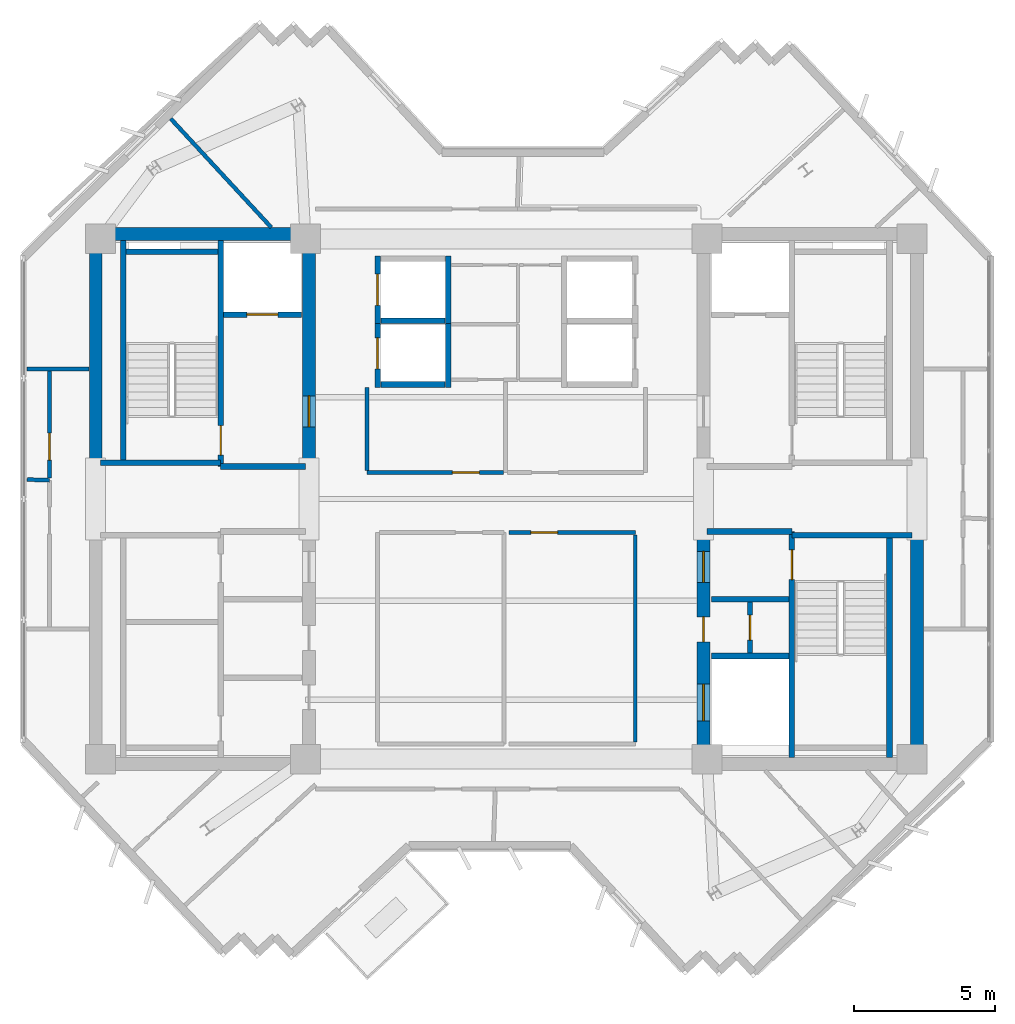
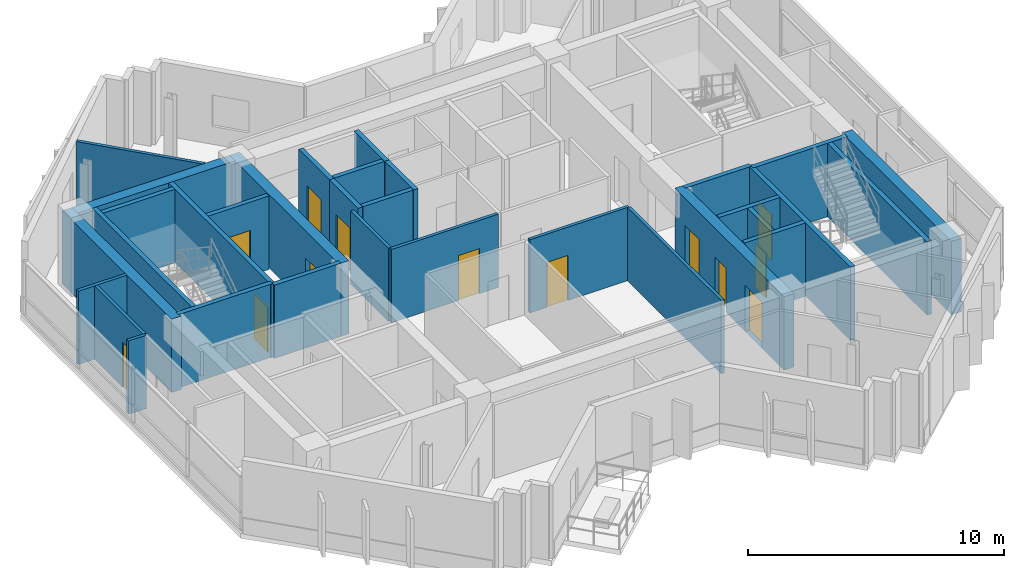
# One storey, part 5 of 9: 32 walls, 13 doors, 13 openings.
"""IFC4 building model written with IfcOpenShell, lengths in metres."""

from ifc_helpers import new_model, si_unit, direction, frame, frame_2d, origin, place, context, subcontext, project, spatial, rectangle, extrude, source, transform, mapped, material, layer, layer_set, type_object, element, fill, save


model = new_model("IFC4")

# Units and contexts
model_context = context("Model", 3, precision=1e-05, world=origin(), true_north=direction((0.0, 1.0)))
body_context = subcontext(model_context, "Body", "Model", "MODEL_VIEW")
ifc_project = project(units=[si_unit("LENGTHUNIT", "METRE"), si_unit("AREAUNIT", "SQUARE_METRE"), si_unit("VOLUMEUNIT", "CUBIC_METRE"), si_unit("PLANEANGLEUNIT", "RADIAN"), si_unit("MASSUNIT", "GRAM", prefix="KILO")], contexts=[model_context])

# Site, building, storey
site_placement = place(None, origin())
site = spatial("IfcSite", under=ifc_project, at=site_placement, CompositionType="ELEMENT")
building_placement = place(site_placement, origin())
building = spatial("IfcBuilding", under=site, at=building_placement, Name="Zahravan Cultural Tower", CompositionType="ELEMENT")
storey_placement = place(building_placement, frame((0.0, 0.0, 299.10009765625)))
storey = spatial("IfcBuildingStorey", under=building, at=storey_placement, Name="L72", CompositionType="ELEMENT", Elevation=299.10009765625)

# Wall, opening, door
ifc_material_1 = material(Name="Concrete C50/60", Category="concrete")
ifc_layer_1 = layer(ifc_material_1, 0.449951171875)
ifc_layer_set_1 = layer_set([ifc_layer_1], Name="Concrete C50/60")
wall_type_1 = type_object("IfcWallType", Name="CW-SHEAR-450-C50", PredefinedType="SHEAR", material=ifc_layer_set_1)
wall_1_placement = place(storey_placement, frame((29.02490234375, 28.050048828125, 0.0), z_axis=(0.0, 0.0, 1.0), x_axis=(0.0, 1.0, 0.0)))
wall_1 = element("IfcWall", 1, at=wall_1_placement, inside=storey, type_object=wall_type_1, Name="L72 Core Shear Wall CW-W-EN-L72", PredefinedType="SHEAR", context=body_context, shape_type="SweptSolid", body=[
    extrude(rectangle(XDim=8.550048828125, YDim=0.449951171875, at=frame_2d((4.27490234375, 0.0))), origin(), (0.0, 0.0, 1.0), 3.5),
])
opening_1_placement = place(wall_1_placement, frame((1.5, 0.0, 0.0)))
opening_1 = element("IfcOpeningElement", 2, at=opening_1_placement, cuts=wall_1, Name="Opening D-L72-06", PredefinedType="OPENING", context=body_context, shape_type="SweptSolid", body=[
    extrude(rectangle(XDim=1.10009765625, YDim=2.199951171875, at=frame_2d((0.550048828125, 1.10009765625))), frame((0.0, 0.23486328125, 0.0), z_axis=(0.0, -1.0, 0.0), x_axis=(1.0, 0.0, 0.0)), (0.0, 0.0, 1.0), 0.469970703125),
])
ifc_material_2 = material(Name="Steel ASTM A572 Grade 50", Category="steel")
door_type_1 = type_object("IfcDoorType", Name="DR-LOBBY-1100", OperationType="NOTDEFINED", PredefinedType="DOOR", material=ifc_material_2)
shared_shape_1 = source(origin(), body_context, "Body", "SweptSolid", [
    extrude(rectangle(XDim=1.10009765625, YDim=2.199951171875, at=frame_2d((0.550048828125, 1.10009765625))), frame((0.0, 0.02490234375, 0.0), z_axis=(0.0, -1.0, 0.0), x_axis=(1.0, 0.0, 0.0)), (0.0, 0.0, 1.0), 0.050048828125),
])
door_1_placement = place(opening_1_placement, origin())
door_1 = element("IfcDoor", 3, at=door_1_placement, inside=storey, type_object=door_type_1, Name="L72 Door D-L72-06", OperationType="SINGLE_SWING_LEFT", OverallHeight=2.199951171875, OverallWidth=1.10009765625, PredefinedType="DOOR", context=body_context, shape_type="MappedRepresentation", body=[
    mapped(shared_shape_1, transform((0.0, 0.0, 0.0), x_axis=(1.0, 0.0, 0.0), y_axis=(0.0, 1.0, 0.0), z_axis=(0.0, 0.0, 1.0), scale=1.0)),
])
fill(opening_1, door_1)

# Wall, openings, doors
wall_2_placement = place(storey_placement, frame((42.97509765625, 17.39990234375, 0.0), z_axis=(0.0, 0.0, 1.0), x_axis=(0.0, 1.0, 0.0)))
wall_2 = element("IfcWall", 4, at=wall_2_placement, inside=storey, type_object=wall_type_1, Name="L72 Core Shear Wall CW-E-WS-L72", PredefinedType="SHEAR", context=body_context, shape_type="SweptSolid", body=[
    extrude(rectangle(XDim=8.550048828125, YDim=0.449951171875, at=frame_2d((4.27490234375, 0.0))), origin(), (0.0, 0.0, 1.0), 3.5),
])
opening_2_placement = place(wall_2_placement, frame((6.64990234375, 0.0, 0.0)))
opening_2 = element("IfcOpeningElement", 5, at=opening_2_placement, cuts=wall_2, Name="Opening D-L72-09", PredefinedType="OPENING", context=body_context, shape_type="SweptSolid", body=[
    extrude(rectangle(XDim=1.10009765625, YDim=2.199951171875, at=frame_2d((0.550048828125, 1.10009765625))), frame((0.0, 0.23486328125, 0.0), z_axis=(0.0, -1.0, 0.0), x_axis=(1.0, 0.0, 0.0)), (0.0, 0.0, 1.0), 0.469970703125),
])
opening_3_placement = place(wall_2_placement, frame((1.75, 0.0, 0.0)))
opening_3 = element("IfcOpeningElement", 6, at=opening_3_placement, cuts=wall_2, Name="Opening LD-L72-03", PredefinedType="OPENING", context=body_context, shape_type="SweptSolid", body=[
    extrude(rectangle(XDim=1.300048828125, YDim=2.199951171875, at=frame_2d((0.64990234375, 1.10009765625))), frame((0.0, 0.23486328125, 0.0), z_axis=(0.0, -1.0, 0.0), x_axis=(1.0, 0.0, 0.0)), (0.0, 0.0, 1.0), 0.469970703125),
])
opening_4_placement = place(wall_2_placement, frame((4.550048828125, 0.0, 0.0)))
opening_4 = element("IfcOpeningElement", 7, at=opening_4_placement, cuts=wall_2, Name="Opening D-L72-12", PredefinedType="OPENING", context=body_context, shape_type="SweptSolid", body=[
    extrude(rectangle(XDim=0.8798828125, YDim=2.10009765625, at=frame_2d((0.43994140625, 1.050048828125))), frame((0.0, 0.23486328125, 0.0), z_axis=(0.0, -1.0, 0.0), x_axis=(1.0, 0.0, 0.0)), (0.0, 0.0, 1.0), 0.469970703125),
])
door_2_placement = place(opening_2_placement, origin())
door_2 = element("IfcDoor", 8, at=door_2_placement, inside=storey, type_object=door_type_1, Name="L72 Door D-L72-09", OperationType="SINGLE_SWING_RIGHT", OverallHeight=2.199951171875, OverallWidth=1.10009765625, PredefinedType="DOOR", context=body_context, shape_type="MappedRepresentation", body=[
    mapped(shared_shape_1, transform((0.0, 0.0, 0.0), x_axis=(1.0, 0.0, 0.0), y_axis=(0.0, 1.0, 0.0), z_axis=(0.0, 0.0, 1.0), scale=1.0)),
])
fill(opening_2, door_2)
door_type_2 = type_object("IfcDoorType", Name="DR-LIFT-1300", OperationType="DOUBLE_DOOR_SLIDING", PredefinedType="DOOR", material=ifc_material_2)
shared_shape_2 = source(origin(), body_context, "Body", "SweptSolid", [
    extrude(rectangle(XDim=1.300048828125, YDim=2.199951171875, at=frame_2d((0.64990234375, 1.10009765625))), frame((0.0, 0.02490234375, 0.0), z_axis=(0.0, -1.0, 0.0), x_axis=(1.0, 0.0, 0.0)), (0.0, 0.0, 1.0), 0.050048828125),
])
door_3_placement = place(opening_3_placement, origin())
door_3 = element("IfcDoor", 9, at=door_3_placement, inside=storey, type_object=door_type_2, Name="L72 Door LD-L72-03", OperationType="DOUBLE_DOOR_SLIDING", OverallHeight=2.199951171875, OverallWidth=1.300048828125, PredefinedType="DOOR", context=body_context, shape_type="MappedRepresentation", body=[
    mapped(shared_shape_2, transform((0.0, 0.0, 0.0), x_axis=(1.0, 0.0, 0.0), y_axis=(0.0, 1.0, 0.0), z_axis=(0.0, 0.0, 1.0), scale=1.0)),
])
fill(opening_3, door_3)
door_type_3 = type_object("IfcDoorType", Name="DR-SVC-880", OperationType="NOTDEFINED", PredefinedType="DOOR", material=ifc_material_2)
shared_shape_3 = source(origin(), body_context, "Body", "SweptSolid", [
    extrude(rectangle(XDim=0.8798828125, YDim=2.10009765625, at=frame_2d((0.43994140625, 1.050048828125))), frame((0.0, 0.02490234375, 0.0), z_axis=(0.0, -1.0, 0.0), x_axis=(1.0, 0.0, 0.0)), (0.0, 0.0, 1.0), 0.050048828125),
])
door_4_placement = place(opening_4_placement, origin())
door_4 = element("IfcDoor", 10, at=door_4_placement, inside=storey, type_object=door_type_3, Name="L72 Door D-L72-12", OperationType="SINGLE_SWING_LEFT", OverallHeight=2.10009765625, OverallWidth=0.8798828125, PredefinedType="DOOR", context=body_context, shape_type="MappedRepresentation", body=[
    mapped(shared_shape_3, transform((0.0, 0.0, 0.0), x_axis=(1.0, 0.0, 0.0), y_axis=(0.0, 1.0, 0.0), z_axis=(0.0, 0.0, 1.0), scale=1.0)),
])
fill(opening_4, door_4)

# Wall, opening, door
ifc_material_3 = material(Name="Gypsum plasterboard partition")
ifc_layer_2 = layer(ifc_material_3, 0.179931640625)
ifc_layer_set_2 = layer_set([ifc_layer_2], Name="Gypsum plasterboard partition")
wall_type_2 = type_object("IfcWallType", Name="W-COMP-180", PredefinedType="PARTITIONING", material=ifc_layer_set_2)
wall_3_placement = place(storey_placement, frame((44.6201171875, 21.550048828125, 0.0), z_axis=(0.0, 0.0, 1.0), x_axis=(0.0, 1.0, 0.0)))
wall_3 = element("IfcWall", 11, at=wall_3_placement, inside=storey, type_object=wall_type_2, Name="L72 Interior Wall 028", PredefinedType="PARTITIONING", context=body_context, shape_type="SweptSolid", body=[
    extrude(rectangle(XDim=1.800048828125, YDim=0.179931640625, at=frame_2d((0.89990234375, 0.0))), origin(), (0.0, 0.0, 1.0), 3.5),
])
opening_5_placement = place(wall_3_placement, frame((0.4599609375, 0.0, 0.0)))
opening_5 = element("IfcOpeningElement", 12, at=opening_5_placement, cuts=wall_3, Name="Opening D-L72-13", PredefinedType="OPENING", context=body_context, shape_type="SweptSolid", body=[
    extrude(rectangle(XDim=0.8798828125, YDim=2.10009765625, at=frame_2d((0.43994140625, 1.050048828125))), frame((0.0, 0.099853515625, 0.0), z_axis=(0.0, -1.0, 0.0), x_axis=(1.0, 0.0, 0.0)), (0.0, 0.0, 1.0), 0.199951171875),
])
door_5_placement = place(opening_5_placement, origin())
door_5 = element("IfcDoor", 13, at=door_5_placement, inside=storey, type_object=door_type_3, Name="L72 Door D-L72-13", OperationType="SINGLE_SWING_RIGHT", OverallHeight=2.10009765625, OverallWidth=0.8798828125, PredefinedType="DOOR", context=body_context, shape_type="MappedRepresentation", body=[
    mapped(shared_shape_3, transform((0.0, 0.0, 0.0), x_axis=(1.0, 0.0, 0.0), y_axis=(0.0, 1.0, 0.0), z_axis=(0.0, 0.0, 1.0), scale=1.0)),
])
fill(opening_5, door_5)

ifc_layer_3 = layer(ifc_material_3, 0.139892578125)
ifc_layer_set_3 = layer_set([ifc_layer_3], Name="Gypsum plasterboard partition")
wall_type_3 = type_object("IfcWallType", Name="W-PART-140", PredefinedType="PARTITIONING", material=ifc_layer_set_3)
wall_4_placement = place(storey_placement, frame((35.89501953125, 27.93994140625, 0.0), z_axis=(0.0, 0.0, 1.0), x_axis=(-1.0, 0.0, 0.0)))
wall_4 = element("IfcWall", 14, at=wall_4_placement, inside=storey, type_object=wall_type_3, Name="L72 Interior Wall 057", PredefinedType="PARTITIONING", context=body_context, shape_type="SweptSolid", body=[
    extrude(rectangle(XDim=4.81494140625, YDim=0.139892578125, at=frame_2d((2.407470703125, 0.0))), origin(), (0.0, 0.0, 1.0), 3.5),
])
opening_6_placement = place(wall_4_placement, frame((0.850341796875, 0.0, 0.0)))
opening_6 = element("IfcOpeningElement", 15, at=opening_6_placement, cuts=wall_4, Name="Opening D-L72-18", PredefinedType="OPENING", context=body_context, shape_type="SweptSolid", body=[
    extrude(rectangle(XDim=0.949951171875, YDim=2.14990234375, at=frame_2d((0.47509765625, 1.074951171875))), frame((0.0, 0.079833984375, 0.0), z_axis=(0.0, -1.0, 0.0), x_axis=(1.0, 0.0, 0.0)), (0.0, 0.0, 1.0), 0.159912109375),
])
ifc_material_4 = material(Name="Anodised bronze-aluminium mullion", Category="aluminium")
door_type_4 = type_object("IfcDoorType", Name="DR-ROOM-950", OperationType="NOTDEFINED", PredefinedType="DOOR", material=ifc_material_4)
shared_shape_4 = source(origin(), body_context, "Body", "SweptSolid", [
    extrude(rectangle(XDim=0.949951171875, YDim=2.14990234375, at=frame_2d((0.47509765625, 1.074951171875))), frame((0.0, 0.02490234375, 0.0), z_axis=(0.0, -1.0, 0.0), x_axis=(1.0, 0.0, 0.0)), (0.0, 0.0, 1.0), 0.050048828125),
])
door_6_placement = place(opening_6_placement, origin())
door_6 = element("IfcDoor", 16, at=door_6_placement, inside=storey, type_object=door_type_4, Name="L72 Door D-L72-18", OperationType="SINGLE_SWING_LEFT", OverallHeight=2.14990234375, OverallWidth=0.949951171875, PredefinedType="DOOR", context=body_context, shape_type="MappedRepresentation", body=[
    mapped(shared_shape_4, transform((0.0, 0.0, 0.0), x_axis=(1.0, 0.0, 0.0), y_axis=(0.0, 1.0, 0.0), z_axis=(0.0, 0.0, 1.0), scale=1.0)),
])
fill(opening_6, door_6)

wall_5_placement = place(storey_placement, frame((19.851318359375, 31.59765625, 0.0), z_axis=(0.0, 0.0, 1.0), x_axis=(-0.000316215517, -0.999999950004, 0.0)))
wall_5 = element("IfcWall", 17, at=wall_5_placement, inside=storey, type_object=wall_type_3, Name="L72 Interior Wall 077", PredefinedType="PARTITIONING", context=body_context, shape_type="SweptSolid", body=[
    extrude(rectangle(XDim=3.8603515625, YDim=0.139892578125, at=frame_2d((1.93017578125, 0.0))), origin(), (0.0, 0.0, 1.0), 3.5),
])
opening_7_placement = place(wall_5_placement, frame((2.27001953125, 0.0, 0.0)))
opening_7 = element("IfcOpeningElement", 18, at=opening_7_placement, cuts=wall_5, Name="Opening D-L72-23", PredefinedType="OPENING", context=body_context, shape_type="SweptSolid", body=[
    extrude(rectangle(XDim=0.949951171875, YDim=2.14990234375, at=frame_2d((0.47509765625, 1.074951171875))), frame((0.0, 0.079833984375, 0.0), z_axis=(0.0, -1.0, 0.0), x_axis=(1.0, 0.0, 0.0)), (0.0, 0.0, 1.0), 0.159912109375),
])
door_7_placement = place(opening_7_placement, origin())
door_7 = element("IfcDoor", 19, at=door_7_placement, inside=storey, type_object=door_type_4, Name="L72 Door D-L72-23", OperationType="SINGLE_SWING_RIGHT", OverallHeight=2.14990234375, OverallWidth=0.949951171875, PredefinedType="DOOR", context=body_context, shape_type="MappedRepresentation", body=[
    mapped(shared_shape_4, transform((0.0, 0.0, 0.0), x_axis=(1.0, 0.0, 0.0), y_axis=(0.0, 1.0, 0.0), z_axis=(0.0, 0.0, 1.0), scale=1.0)),
])
fill(opening_7, door_7)

wall_6_placement = place(storey_placement, frame((36.090087890625, 25.81005859375, 0.0), z_axis=(0.0, 0.0, 1.0), x_axis=(1.0, 0.0, 0.0)))
wall_6 = element("IfcWall", 20, at=wall_6_placement, inside=storey, type_object=wall_type_3, Name="L72 Interior Wall 086", PredefinedType="PARTITIONING", context=body_context, shape_type="SweptSolid", body=[
    extrude(rectangle(XDim=4.469970703125, YDim=0.139892578125, at=frame_2d((2.23486328125, 0.0))), origin(), (0.0, 0.0, 1.0), 3.5),
])
opening_8_placement = place(wall_6_placement, frame((0.7744140625, 0.0, 0.0)))
opening_8 = element("IfcOpeningElement", 21, at=opening_8_placement, cuts=wall_6, Name="Opening D-L72-15", PredefinedType="OPENING", context=body_context, shape_type="SweptSolid", body=[
    extrude(rectangle(XDim=0.949951171875, YDim=2.14990234375, at=frame_2d((0.47509765625, 1.074951171875))), frame((0.0, 0.079833984375, 0.0), z_axis=(0.0, -1.0, 0.0), x_axis=(1.0, 0.0, 0.0)), (0.0, 0.0, 1.0), 0.159912109375),
])
door_8_placement = place(opening_8_placement, origin())
door_8 = element("IfcDoor", 22, at=door_8_placement, inside=storey, type_object=door_type_4, Name="L72 Door D-L72-15", OperationType="SINGLE_SWING_RIGHT", OverallHeight=2.14990234375, OverallWidth=0.949951171875, PredefinedType="DOOR", context=body_context, shape_type="MappedRepresentation", body=[
    mapped(shared_shape_4, transform((0.0, 0.0, 0.0), x_axis=(1.0, 0.0, 0.0), y_axis=(0.0, 1.0, 0.0), z_axis=(0.0, 0.0, 1.0), scale=1.0)),
])
fill(opening_8, door_8)

ifc_material_5 = material(Name="Concrete C45/55", Category="concrete")
ifc_layer_4 = layer(ifc_material_5, 0.199951171875)
ifc_layer_set_4 = layer_set([ifc_layer_4], Name="Concrete C45/55")
wall_type_4 = type_object("IfcWallType", Name="W-SHAFT-200", PredefinedType="SOLIDWALL", material=ifc_layer_set_4)
wall_7_placement = place(storey_placement, frame((25.89990234375, 28.14990234375, 0.0), z_axis=(0.0, 0.0, 1.0), x_axis=(0.0, 1.0, 0.0)))
wall_7 = element("IfcWall", 23, at=wall_7_placement, inside=storey, type_object=wall_type_4, Name="L72 Interior Wall 006", PredefinedType="SOLIDWALL", context=body_context, shape_type="SweptSolid", body=[
    extrude(rectangle(XDim=8.0, YDim=0.199951171875, at=frame_2d((4.0, 0.0))), origin(), (0.0, 0.0, 1.0), 3.5),
])
opening_9_placement = place(wall_7_placement, frame((0.39990234375, 0.0, 0.0)))
opening_9 = element("IfcOpeningElement", 24, at=opening_9_placement, cuts=wall_7, Name="Opening D-L72-01", PredefinedType="OPENING", context=body_context, shape_type="SweptSolid", body=[
    extrude(rectangle(XDim=1.050048828125, YDim=2.14990234375, at=frame_2d((0.52490234375, 1.074951171875))), frame((0.0, 0.10986328125, 0.0), z_axis=(0.0, -1.0, 0.0), x_axis=(1.0, 0.0, 0.0)), (0.0, 0.0, 1.0), 0.219970703125),
])
door_type_5 = type_object("IfcDoorType", Name="DR-STAIR-1050", OperationType="NOTDEFINED", PredefinedType="DOOR", material=ifc_material_2)
shared_shape_5 = source(origin(), body_context, "Body", "SweptSolid", [
    extrude(rectangle(XDim=1.050048828125, YDim=2.14990234375, at=frame_2d((0.52490234375, 1.074951171875))), frame((0.0, 0.02490234375, 0.0), z_axis=(0.0, -1.0, 0.0), x_axis=(1.0, 0.0, 0.0)), (0.0, 0.0, 1.0), 0.050048828125),
])
door_9_placement = place(opening_9_placement, origin())
door_9 = element("IfcDoor", 25, at=door_9_placement, inside=storey, type_object=door_type_5, Name="L72 Door D-L72-01", OperationType="SINGLE_SWING_RIGHT", OverallHeight=2.14990234375, OverallWidth=1.050048828125, PredefinedType="DOOR", context=body_context, shape_type="MappedRepresentation", body=[
    mapped(shared_shape_5, transform((0.0, 0.0, 0.0), x_axis=(1.0, 0.0, 0.0), y_axis=(0.0, 1.0, 0.0), z_axis=(0.0, 0.0, 1.0), scale=1.0)),
])
fill(opening_9, door_9)

wall_8_placement = place(storey_placement, frame((46.10009765625, 17.85009765625, 0.0), z_axis=(0.0, 0.0, 1.0), x_axis=(0.0, 1.0, 0.0)))
wall_8 = element("IfcWall", 26, at=wall_8_placement, inside=storey, type_object=wall_type_4, Name="L72 Interior Wall 007", PredefinedType="SOLIDWALL", context=body_context, shape_type="SweptSolid", body=[
    extrude(rectangle(XDim=8.0, YDim=0.199951171875, at=frame_2d((4.0, 0.0))), origin(), (0.0, 0.0, 1.0), 3.5),
])
opening_10_placement = place(wall_8_placement, frame((6.300048828125, 0.0, 0.0)))
opening_10 = element("IfcOpeningElement", 27, at=opening_10_placement, cuts=wall_8, Name="Opening D-L72-03", PredefinedType="OPENING", context=body_context, shape_type="SweptSolid", body=[
    extrude(rectangle(XDim=1.050048828125, YDim=2.14990234375, at=frame_2d((0.52490234375, 1.074951171875))), frame((0.0, 0.10986328125, 0.0), z_axis=(0.0, -1.0, 0.0), x_axis=(1.0, 0.0, 0.0)), (0.0, 0.0, 1.0), 0.219970703125),
])
door_10_placement = place(opening_10_placement, origin())
door_10 = element("IfcDoor", 28, at=door_10_placement, inside=storey, type_object=door_type_5, Name="L72 Door D-L72-03", OperationType="SINGLE_SWING_RIGHT", OverallHeight=2.14990234375, OverallWidth=1.050048828125, PredefinedType="DOOR", context=body_context, shape_type="MappedRepresentation", body=[
    mapped(shared_shape_5, transform((0.0, 0.0, 0.0), x_axis=(1.0, 0.0, 0.0), y_axis=(0.0, 1.0, 0.0), z_axis=(0.0, 0.0, 1.0), scale=1.0)),
])
fill(opening_10, door_10)

wall_9_placement = place(storey_placement, frame((26.0, 33.52001953125, 0.0), z_axis=(0.0, 0.0, 1.0), x_axis=(1.0, 0.0, 0.0)))
wall_9 = element("IfcWall", 29, at=wall_9_placement, inside=storey, type_object=wall_type_4, Name="L72 Interior Wall 022", PredefinedType="SOLIDWALL", context=body_context, shape_type="SweptSolid", body=[
    extrude(rectangle(XDim=2.75, YDim=0.199951171875, at=frame_2d((1.375, 0.0))), origin(), (0.0, 0.0, 1.0), 3.5),
])
opening_11_placement = place(wall_9_placement, frame((0.820068359375, 0.0, 0.0)))
opening_11 = element("IfcOpeningElement", 30, at=opening_11_placement, cuts=wall_9, Name="Opening LD-L72-01", PredefinedType="OPENING", context=body_context, shape_type="SweptSolid", body=[
    extrude(rectangle(XDim=1.10009765625, YDim=2.14990234375, at=frame_2d((0.550048828125, 1.074951171875))), frame((0.0, 0.10986328125, 0.0), z_axis=(0.0, -1.0, 0.0), x_axis=(1.0, 0.0, 0.0)), (0.0, 0.0, 1.0), 0.219970703125),
])
door_type_6 = type_object("IfcDoorType", Name="DR-LIFT-1100", OperationType="DOUBLE_DOOR_SLIDING", PredefinedType="DOOR", material=ifc_material_2)
shared_shape_6 = source(origin(), body_context, "Body", "SweptSolid", [
    extrude(rectangle(XDim=1.10009765625, YDim=2.14990234375, at=frame_2d((0.550048828125, 1.074951171875))), frame((0.0, 0.02490234375, 0.0), z_axis=(0.0, -1.0, 0.0), x_axis=(1.0, 0.0, 0.0)), (0.0, 0.0, 1.0), 0.050048828125),
])
door_11_placement = place(opening_11_placement, origin())
door_11 = element("IfcDoor", 31, at=door_11_placement, inside=storey, type_object=door_type_6, Name="L72 Door LD-L72-01", OperationType="DOUBLE_DOOR_SLIDING", OverallHeight=2.14990234375, OverallWidth=1.10009765625, PredefinedType="DOOR", context=body_context, shape_type="MappedRepresentation", body=[
    mapped(shared_shape_6, transform((0.0, 0.0, 0.0), x_axis=(1.0, 0.0, 0.0), y_axis=(0.0, 1.0, 0.0), z_axis=(0.0, 0.0, 1.0), scale=1.0)),
])
fill(opening_11, door_11)

wall_10_placement = place(storey_placement, frame((31.449951171875, 33.199951171875, 0.0), z_axis=(0.0, 0.0, 1.0), x_axis=(0.0, 1.0, 0.0)))
wall_10 = element("IfcWall", 32, at=wall_10_placement, inside=storey, type_object=wall_type_4, Name="L72 Interior Wall 029", PredefinedType="SOLIDWALL", context=body_context, shape_type="SweptSolid", body=[
    extrude(rectangle(XDim=2.400146484375, YDim=0.199951171875, at=frame_2d((1.2001953125, 0.0))), origin(), (0.0, 0.0, 1.0), 3.5),
])
opening_12_placement = place(wall_10_placement, frame((0.64990234375, 0.0, 0.0)))
opening_12 = element("IfcOpeningElement", 33, at=opening_12_placement, cuts=wall_10, Name="Opening LD-L72-04", PredefinedType="OPENING", context=body_context, shape_type="SweptSolid", body=[
    extrude(rectangle(XDim=1.10009765625, YDim=2.14990234375, at=frame_2d((0.550048828125, 1.074951171875))), frame((0.0, 0.10986328125, 0.0), z_axis=(0.0, -1.0, 0.0), x_axis=(1.0, 0.0, 0.0)), (0.0, 0.0, 1.0), 0.219970703125),
])
door_12_placement = place(opening_12_placement, origin())
door_12 = element("IfcDoor", 34, at=door_12_placement, inside=storey, type_object=door_type_6, Name="L72 Door LD-L72-04", OperationType="DOUBLE_DOOR_SLIDING", OverallHeight=2.14990234375, OverallWidth=1.10009765625, PredefinedType="DOOR", context=body_context, shape_type="MappedRepresentation", body=[
    mapped(shared_shape_6, transform((0.0, 0.0, 0.0), x_axis=(1.0, 0.0, 0.0), y_axis=(0.0, 1.0, 0.0), z_axis=(0.0, 0.0, 1.0), scale=1.0)),
])
fill(opening_12, door_12)

wall_11_placement = place(storey_placement, frame((31.449951171875, 30.949951171875, 0.0), z_axis=(0.0, 0.0, 1.0), x_axis=(0.0, 1.0, 0.0)))
wall_11 = element("IfcWall", 35, at=wall_11_placement, inside=storey, type_object=wall_type_4, Name="L72 Interior Wall 033", PredefinedType="SOLIDWALL", context=body_context, shape_type="SweptSolid", body=[
    extrude(rectangle(XDim=2.400146484375, YDim=0.199951171875, at=frame_2d((1.2001953125, 0.0))), origin(), (0.0, 0.0, 1.0), 3.5),
])
opening_13_placement = place(wall_11_placement, frame((0.64990234375, 0.0, 0.0)))
opening_13 = element("IfcOpeningElement", 36, at=opening_13_placement, cuts=wall_11, Name="Opening LD-L72-05", PredefinedType="OPENING", context=body_context, shape_type="SweptSolid", body=[
    extrude(rectangle(XDim=1.10009765625, YDim=2.14990234375, at=frame_2d((0.550048828125, 1.074951171875))), frame((0.0, 0.10986328125, 0.0), z_axis=(0.0, -1.0, 0.0), x_axis=(1.0, 0.0, 0.0)), (0.0, 0.0, 1.0), 0.219970703125),
])
door_13_placement = place(opening_13_placement, origin())
door_13 = element("IfcDoor", 37, at=door_13_placement, inside=storey, type_object=door_type_6, Name="L72 Door LD-L72-05", OperationType="DOUBLE_DOOR_SLIDING", OverallHeight=2.14990234375, OverallWidth=1.10009765625, PredefinedType="DOOR", context=body_context, shape_type="MappedRepresentation", body=[
    mapped(shared_shape_6, transform((0.0, 0.0, 0.0), x_axis=(1.0, 0.0, 0.0), y_axis=(0.0, 1.0, 0.0), z_axis=(0.0, 0.0, 1.0), scale=1.0)),
])
fill(opening_13, door_13)

# Walls
shared_shape_7 = source(origin(), body_context, "Body", "SweptSolid", [
    extrude(rectangle(XDim=8.550048828125, YDim=0.449951171875, at=frame_2d((4.27490234375, 0.0))), origin(), (0.0, 0.0, 1.0), 3.5),
])
for number, where, z_axis, x_axis, name in (
    (38, (21.47509765625, 28.050048828125, 0.0), (0.0, 0.0, 1.0), (0.0, 1.0, 0.0), "L72 Core Shear Wall CW-W-WN-L72"),
    (39, (50.52490234375, 17.39990234375, 0.0), (0.0, 0.0, 1.0), (0.0, 1.0, 0.0), "L72 Core Shear Wall CW-E-ES-L72"),
):
    element("IfcWall", number, at=place(storey_placement, frame(where, z_axis=z_axis, x_axis=x_axis)), inside=storey, type_object=wall_type_1, Name=name, PredefinedType="SHEAR", context=body_context, shape_type="MappedRepresentation", body=[
        mapped(shared_shape_7, transform((0.0, 0.0, 0.0), x_axis=(1.0, 0.0, 0.0), y_axis=(0.0, 1.0, 0.0), z_axis=(0.0, 0.0, 1.0), scale=1.0)),
    ])
shared_shape_8 = source(origin(), body_context, "Body", "SweptSolid", [
    extrude(rectangle(XDim=7.10009765625, YDim=0.449951171875, at=frame_2d((3.550048828125, 0.0))), origin(), (0.0, 0.0, 1.0), 3.5),
])
wall_12_placement = place(storey_placement, frame((21.699951171875, 36.375, 0.0), z_axis=(0.0, 0.0, 1.0), x_axis=(1.0, 0.0, 0.0)))
element("IfcWall", 40, at=wall_12_placement, inside=storey, type_object=wall_type_1, Name="L72 Core Shear Wall CW-W-N-L72", PredefinedType="SHEAR", context=body_context, shape_type="MappedRepresentation", body=[
    mapped(shared_shape_8, transform((0.0, 0.0, 0.0), x_axis=(1.0, 0.0, 0.0), y_axis=(0.0, 1.0, 0.0), z_axis=(0.0, 0.0, 1.0), scale=1.0)),
])
shared_shape_9 = source(origin(), body_context, "Body", "SweptSolid", [
    extrude(rectangle(XDim=7.869873046875, YDim=0.199951171875, at=frame_2d((3.93505859375, 0.0))), origin(), (0.0, 0.0, 1.0), 3.5),
])
for number, where, z_axis, x_axis, name in (
    (41, (22.449951171875, 28.280029296875, 0.0), (0.0, 0.0, 1.0), (0.0, 1.0, 0.0), "L72 Interior Wall 002"),
    (42, (49.550048828125, 17.85009765625, 0.0), (0.0, 0.0, 1.0), (0.0, 1.0, 0.0), "L72 Interior Wall 003"),
):
    element("IfcWall", number, at=place(storey_placement, frame(where, z_axis=z_axis, x_axis=x_axis)), inside=storey, type_object=wall_type_4, Name=name, PredefinedType="SOLIDWALL", context=body_context, shape_type="MappedRepresentation", body=[
        mapped(shared_shape_9, transform((0.0, 0.0, 0.0), x_axis=(1.0, 0.0, 0.0), y_axis=(0.0, 1.0, 0.0), z_axis=(0.0, 0.0, 1.0), scale=1.0)),
    ])
shared_shape_10 = source(origin(), body_context, "Body", "SweptSolid", [
    extrude(rectangle(XDim=4.25, YDim=0.199951171875, at=frame_2d((2.125, 0.0))), origin(), (0.0, 0.0, 1.0), 3.5),
])
for number, where, z_axis, x_axis, name in (
    (43, (21.64990234375, 28.284912109375, 0.0), (0.0, 0.0, 1.0), (1.0, 0.0, 0.0), "L72 Interior Wall 011"),
    (44, (46.10009765625, 25.715087890625, 0.0), (0.0, 0.0, 1.0), (1.0, 0.0, 0.0), "L72 Interior Wall 014"),
):
    element("IfcWall", number, at=place(storey_placement, frame(where, z_axis=z_axis, x_axis=x_axis)), inside=storey, type_object=wall_type_4, Name=name, PredefinedType="SOLIDWALL", context=body_context, shape_type="MappedRepresentation", body=[
        mapped(shared_shape_10, transform((0.0, 0.0, 0.0), x_axis=(1.0, 0.0, 0.0), y_axis=(0.0, 1.0, 0.0), z_axis=(0.0, 0.0, 1.0), scale=1.0)),
    ])
shared_shape_11 = source(origin(), body_context, "Body", "SweptSolid", [
    extrude(rectangle(XDim=3.0, YDim=0.199951171875, at=frame_2d((1.5, 0.0))), origin(), (0.0, 0.0, 1.0), 3.5),
])
for number, where, z_axis, x_axis, name in (
    (45, (25.89990234375, 28.14990234375, 0.0), (0.0, 0.0, 1.0), (1.0, 0.0, 0.0), "L72 Interior Wall 012"),
    (46, (43.10009765625, 25.85009765625, 0.0), (0.0, 0.0, 1.0), (1.0, 0.0, 0.0), "L72 Interior Wall 013"),
):
    element("IfcWall", number, at=place(storey_placement, frame(where, z_axis=z_axis, x_axis=x_axis)), inside=storey, type_object=wall_type_4, Name=name, PredefinedType="SOLIDWALL", context=body_context, shape_type="MappedRepresentation", body=[
        mapped(shared_shape_11, transform((0.0, 0.0, 0.0), x_axis=(1.0, 0.0, 0.0), y_axis=(0.0, 1.0, 0.0), z_axis=(0.0, 0.0, 1.0), scale=1.0)),
    ])
shared_shape_12 = source(origin(), body_context, "Body", "SweptSolid", [
    extrude(rectangle(XDim=3.25, YDim=0.199951171875, at=frame_2d((1.625, 0.0))), origin(), (0.0, 0.0, 1.0), 3.5),
])
wall_13_placement = place(storey_placement, frame((22.550048828125, 35.75, 0.0), z_axis=(0.0, 0.0, 1.0), x_axis=(1.0, 0.0, 0.0)))
element("IfcWall", 47, at=wall_13_placement, inside=storey, type_object=wall_type_4, Name="L72 Interior Wall 017", PredefinedType="SOLIDWALL", context=body_context, shape_type="MappedRepresentation", body=[
    mapped(shared_shape_12, transform((0.0, 0.0, 0.0), x_axis=(1.0, 0.0, 0.0), y_axis=(0.0, 1.0, 0.0), z_axis=(0.0, 0.0, 1.0), scale=1.0)),
])
shared_shape_13 = source(origin(), body_context, "Body", "SweptSolid", [
    extrude(rectangle(XDim=2.75, YDim=0.199951171875, at=frame_2d((1.375, 0.0))), origin(), (0.0, 0.0, 1.0), 3.5),
])
for number, where, z_axis, x_axis, name in (
    (48, (43.25, 23.449951171875, 0.0), (0.0, 0.0, 1.0), (1.0, 0.0, 0.0), "L72 Interior Wall 025"),
    (49, (43.25, 21.449951171875, 0.0), (0.0, 0.0, 1.0), (1.0, 0.0, 0.0), "L72 Interior Wall 026"),
):
    element("IfcWall", number, at=place(storey_placement, frame(where, z_axis=z_axis, x_axis=x_axis)), inside=storey, type_object=wall_type_4, Name=name, PredefinedType="SOLIDWALL", context=body_context, shape_type="MappedRepresentation", body=[
        mapped(shared_shape_13, transform((0.0, 0.0, 0.0), x_axis=(1.0, 0.0, 0.0), y_axis=(0.0, 1.0, 0.0), z_axis=(0.0, 0.0, 1.0), scale=1.0)),
    ])
shared_shape_14 = source(origin(), body_context, "Body", "SweptSolid", [
    extrude(rectangle(XDim=2.400146484375, YDim=0.199951171875, at=frame_2d((1.2001953125, 0.0))), origin(), (0.0, 0.0, 1.0), 3.5),
])
for number, where, z_axis, x_axis, name in (
    (50, (33.949951171875, 33.199951171875, 0.0), (0.0, 0.0, 1.0), (0.0, 1.0, 0.0), "L72 Interior Wall 030"),
    (51, (33.949951171875, 30.949951171875, 0.0), (0.0, 0.0, 1.0), (0.0, 1.0, 0.0), "L72 Interior Wall 034"),
):
    element("IfcWall", number, at=place(storey_placement, frame(where, z_axis=z_axis, x_axis=x_axis)), inside=storey, type_object=wall_type_4, Name=name, PredefinedType="SOLIDWALL", context=body_context, shape_type="MappedRepresentation", body=[
        mapped(shared_shape_14, transform((0.0, 0.0, 0.0), x_axis=(1.0, 0.0, 0.0), y_axis=(0.0, 1.0, 0.0), z_axis=(0.0, 0.0, 1.0), scale=1.0)),
    ])
shared_shape_15 = source(origin(), body_context, "Body", "SweptSolid", [
    extrude(rectangle(XDim=2.260009765625, YDim=0.199951171875, at=frame_2d((1.1298828125, 0.0))), origin(), (0.0, 0.0, 1.0), 3.5),
])
for number, where, z_axis, x_axis, name in (
    (52, (31.570068359375, 33.300048828125, 0.0), (0.0, 0.0, 1.0), (1.0, 0.0, 0.0), "L72 Interior Wall 031"),
    (53, (31.570068359375, 31.050048828125, 0.0), (0.0, 0.0, 1.0), (1.0, 0.0, 0.0), "L72 Interior Wall 035"),
):
    element("IfcWall", number, at=place(storey_placement, frame(where, z_axis=z_axis, x_axis=x_axis)), inside=storey, type_object=wall_type_4, Name=name, PredefinedType="SOLIDWALL", context=body_context, shape_type="MappedRepresentation", body=[
        mapped(shared_shape_15, transform((0.0, 0.0, 0.0), x_axis=(1.0, 0.0, 0.0), y_axis=(0.0, 1.0, 0.0), z_axis=(0.0, 0.0, 1.0), scale=1.0)),
    ])
shared_shape_16 = source(origin(), body_context, "Body", "SweptSolid", [
    extrude(rectangle(XDim=2.93505859375, YDim=0.139892578125, at=frame_2d((1.467529296875, 0.0))), origin(), (0.0, 0.0, 1.0), 3.5),
])
wall_14_placement = place(storey_placement, frame((31.080078125, 28.014892578125, 0.0), z_axis=(0.0, 0.0, 1.0), x_axis=(0.0, 1.0, 0.0)))
element("IfcWall", 54, at=wall_14_placement, inside=storey, type_object=wall_type_3, Name="L72 Interior Wall 058", PredefinedType="PARTITIONING", context=body_context, shape_type="MappedRepresentation", body=[
    mapped(shared_shape_16, transform((0.0, 0.0, 0.0), x_axis=(1.0, 0.0, 0.0), y_axis=(0.0, 1.0, 0.0), z_axis=(0.0, 0.0, 1.0), scale=1.0)),
])
shared_shape_17 = source(origin(), body_context, "Body", "SweptSolid", [
    extrude(rectangle(XDim=7.320068359375, YDim=0.139892578125, at=frame_2d((3.66015625, 0.0))), origin(), (0.0, 0.0, 1.0), 3.5),
])
wall_15_placement = place(storey_placement, frame((40.56005859375, 25.735107421875, 0.0), z_axis=(0.0, 0.0, 1.0), x_axis=(0.0, -1.0, 0.0)))
element("IfcWall", 55, at=wall_15_placement, inside=storey, type_object=wall_type_3, Name="L72 Interior Wall 087", PredefinedType="PARTITIONING", context=body_context, shape_type="MappedRepresentation", body=[
    mapped(shared_shape_17, transform((0.0, 0.0, 0.0), x_axis=(1.0, 0.0, 0.0), y_axis=(0.0, 1.0, 0.0), z_axis=(0.0, 0.0, 1.0), scale=1.0)),
])
shared_shape_18 = source(origin(), body_context, "Body", "SweptSolid", [
    extrude(rectangle(XDim=2.195068359375, YDim=0.139892578125, at=frame_2d((1.09765625, 0.0))), origin(), (0.0, 0.0, 1.0), 3.5),
])
wall_16_placement = place(storey_placement, frame((21.2451171875, 31.599853515625, 0.0), z_axis=(0.0, 0.0, 1.0), x_axis=(-0.999998787702, -0.001557110781, 0.0)))
element("IfcWall", 56, at=wall_16_placement, inside=storey, type_object=wall_type_3, Name="L72 Interior Wall 080", PredefinedType="PARTITIONING", context=body_context, shape_type="MappedRepresentation", body=[
    mapped(shared_shape_18, transform((0.0, 0.0, 0.0), x_axis=(1.0, 0.0, 0.0), y_axis=(0.0, 1.0, 0.0), z_axis=(0.0, 0.0, 1.0), scale=1.0)),
])
shared_shape_19 = source(origin(), body_context, "Body", "SweptSolid", [
    extrude(rectangle(XDim=0.794921875, YDim=0.139892578125, at=frame_2d((0.3974609375, 0.0))), origin(), (0.0, 0.0, 1.0), 3.5),
])
wall_17_placement = place(storey_placement, frame((19.054931640625, 27.689453125, 0.0), z_axis=(0.0, 0.0, 1.0), x_axis=(0.999418697686, -0.034092033019, 0.0)))
element("IfcWall", 57, at=wall_17_placement, inside=storey, type_object=wall_type_3, Name="L72 Interior Wall 068", PredefinedType="PARTITIONING", context=body_context, shape_type="MappedRepresentation", body=[
    mapped(shared_shape_19, transform((0.0, 0.0, 0.0), x_axis=(1.0, 0.0, 0.0), y_axis=(0.0, 1.0, 0.0), z_axis=(0.0, 0.0, 1.0), scale=1.0)),
])
shared_shape_20 = source(origin(), body_context, "Body", "SweptSolid", [
    extrude(rectangle(XDim=5.23779296875, YDim=0.139892578125, at=frame_2d((2.618896484375, 0.0))), origin(), (0.0, 0.0, 1.0), 3.5),
])
wall_18_placement = place(storey_placement, frame((24.131591796875, 40.4501953125, 0.0), z_axis=(0.0, 0.0, 1.0), x_axis=(0.67899802156, -0.734140100197, 0.0)))
element("IfcWall", 58, at=wall_18_placement, inside=storey, type_object=wall_type_3, Name="L72 Interior Wall 079", PredefinedType="PARTITIONING", context=body_context, shape_type="MappedRepresentation", body=[
    mapped(shared_shape_20, transform((0.0, 0.0, 0.0), x_axis=(1.0, 0.0, 0.0), y_axis=(0.0, 1.0, 0.0), z_axis=(0.0, 0.0, 1.0), scale=1.0)),
])

save(model, "model.ifc")
